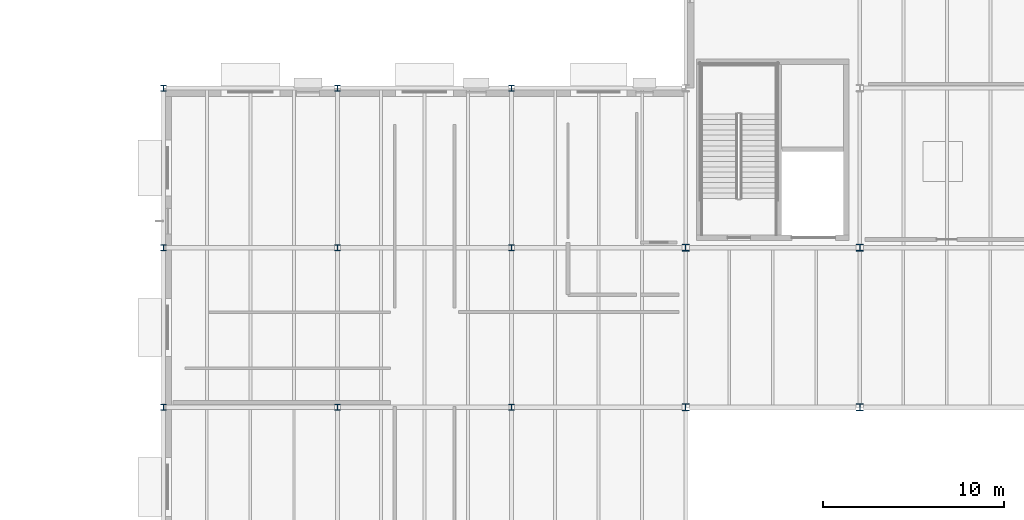
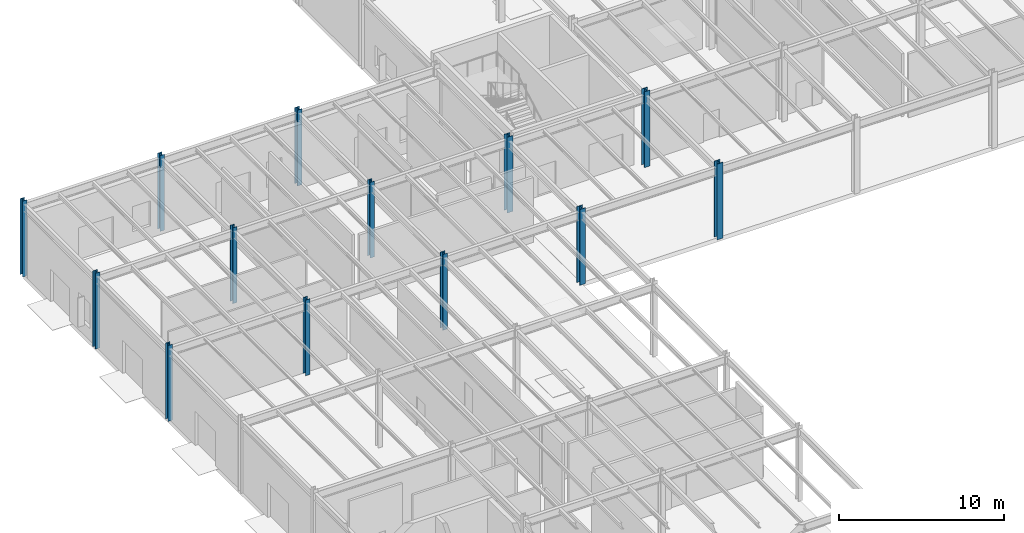
# One storey, part 10 of 70: 13 columns.
"""IFC4 building model written with IfcOpenShell, lengths in metres."""

from ifc_helpers import new_model, si_unit, direction, frame, origin, origin_2d, place, context, subcontext, project, spatial, i_section, extrude, material, material_profile, profile_set, type_object, element, save


model = new_model("IFC4")

# Units and contexts
model_context = context("Model", 3, precision=1e-05, world=origin(), true_north=direction((0.0, 1.0)))
body_context = subcontext(model_context, "Body", "Model", "MODEL_VIEW")
ifc_project = project(units=[si_unit("LENGTHUNIT", "METRE"), si_unit("AREAUNIT", "SQUARE_METRE"), si_unit("VOLUMEUNIT", "CUBIC_METRE"), si_unit("PLANEANGLEUNIT", "RADIAN"), si_unit("MASSUNIT", "GRAM", prefix="KILO")], contexts=[model_context])

# Site, building, storey
site_placement = place(None, origin())
site = spatial("IfcSite", under=ifc_project, at=site_placement, CompositionType="ELEMENT")
building_placement = place(site_placement, origin())
building = spatial("IfcBuilding", under=site, at=building_placement, Name="Sarnbrook Museum", CompositionType="ELEMENT")
storey_placement = place(building_placement, origin())
storey = spatial("IfcBuildingStorey", under=building, at=storey_placement, Name="L00", CompositionType="ELEMENT", Elevation=0.0)

# Columns
ifc_material_1 = material(Name="Structural Steel Grade 300PLUS (AS/NZS 3679.1, fy = 280 MPa for 17 < t <= 40 mm, 300 MPa for t <= 17 mm)", Category="steel")
ifc_material_profile_1 = material_profile(ifc_material_1, i_section(OverallWidth=0.31103515625, OverallDepth=0.326904296875, WebThickness=0.015625, FlangeThickness=0.02490234375, FilletRadius=0.0166015625, at=origin_2d()), Name="310UC158")
ifc_profile_set_1 = profile_set([ifc_material_profile_1], Name="Structural Steel Grade 300PLUS (AS/NZS 3679.1, fy = 280 MPa for 17 < t <= 40 mm, 300 MPa for t <= 17 mm)")
column_type_1 = type_object("IfcColumnType", Name="COL-UC310H", PredefinedType="COLUMN", material=ifc_profile_set_1)
for number, where, z_axis, x_axis, name in (
    (1, (13.60009765625, 74.39990234375, 0.0), (0.0, 0.0, 1.0), (1.0, 0.0, 0.0), "Column 2-J L00"),
    (2, (13.60009765625, 83.199951171875, 0.0), (0.0, 0.0, 1.0), (1.0, 0.0, 0.0), "Column 2-K L00"),
    (3, (13.60009765625, 92.0, 0.0), (0.0, 0.0, 1.0), (1.0, 0.0, 0.0), "Column 2-L L00"),
    (4, (23.199951171875, 74.39990234375, 0.0), (0.0, 0.0, 1.0), (1.0, 0.0, 0.0), "Column 3-J L00"),
    (5, (23.199951171875, 83.199951171875, 0.0), (0.0, 0.0, 1.0), (1.0, 0.0, 0.0), "Column 3-K L00"),
    (6, (23.199951171875, 92.0, 0.0), (0.0, 0.0, 1.0), (1.0, 0.0, 0.0), "Column 3-L L00"),
    (7, (32.800048828125, 74.39990234375, 0.0), (0.0, 0.0, 1.0), (1.0, 0.0, 0.0), "Column 4-J L00"),
    (8, (32.800048828125, 83.199951171875, 0.0), (0.0, 0.0, 1.0), (1.0, 0.0, 0.0), "Column 4-K L00"),
    (9, (32.800048828125, 92.0, 0.0), (0.0, 0.0, 1.0), (1.0, 0.0, 0.0), "Column 4-L L00"),
):
    element("IfcColumn", number, at=place(storey_placement, frame(where, z_axis=z_axis, x_axis=x_axis)), inside=storey, type_object=column_type_1, Name=name, PredefinedType="COLUMN", context=body_context, shape_type="SweptSolid", body=[
        extrude(i_section(OverallWidth=0.31103515625, OverallDepth=0.326904296875, WebThickness=0.015625, FlangeThickness=0.02490234375, FilletRadius=0.0166015625, at=origin_2d()), origin(), (0.0, 0.0, 1.0), 5.60009765625),
    ])
ifc_material_2 = material(Name="Structural Steel Grade 350L0 (AS/NZS 3678, fy = 340 MPa for 20 < t <= 40 mm)", Category="steel")
ifc_material_profile_2 = material_profile(ifc_material_2, i_section(OverallWidth=0.39990234375, OverallDepth=0.382080078125, WebThickness=0.02490234375, FlangeThickness=0.035888671875, at=origin_2d()), Name="400WC270")
ifc_profile_set_2 = profile_set([ifc_material_profile_2], Name="Structural Steel Grade 350L0 (AS/NZS 3678, fy = 340 MPa for 20 < t <= 40 mm)")
column_type_2 = type_object("IfcColumnType", Name="COL-WC400", PredefinedType="COLUMN", material=ifc_profile_set_2)
for number, where, z_axis, x_axis, name in (
    (10, (42.39990234375, 74.39990234375, 0.0), (0.0, 0.0, 1.0), (1.0, 0.0, 0.0), "Column 5-J L00"),
    (11, (42.39990234375, 83.199951171875, 0.0), (0.0, 0.0, 1.0), (1.0, 0.0, 0.0), "Column 5-K L00"),
    (12, (52.0, 74.39990234375, 0.0), (0.0, 0.0, 1.0), (1.0, 0.0, 0.0), "Column 6-J L00"),
    (13, (52.0, 83.199951171875, 0.0), (0.0, 0.0, 1.0), (1.0, 0.0, 0.0), "Column 6-K L00"),
):
    element("IfcColumn", number, at=place(storey_placement, frame(where, z_axis=z_axis, x_axis=x_axis)), inside=storey, type_object=column_type_2, Name=name, PredefinedType="COLUMN", context=body_context, shape_type="SweptSolid", body=[
        extrude(i_section(OverallWidth=0.39990234375, OverallDepth=0.382080078125, WebThickness=0.02490234375, FlangeThickness=0.035888671875, at=origin_2d()), origin(), (0.0, 0.0, 1.0), 5.60009765625),
    ])

save(model, "model.ifc")
